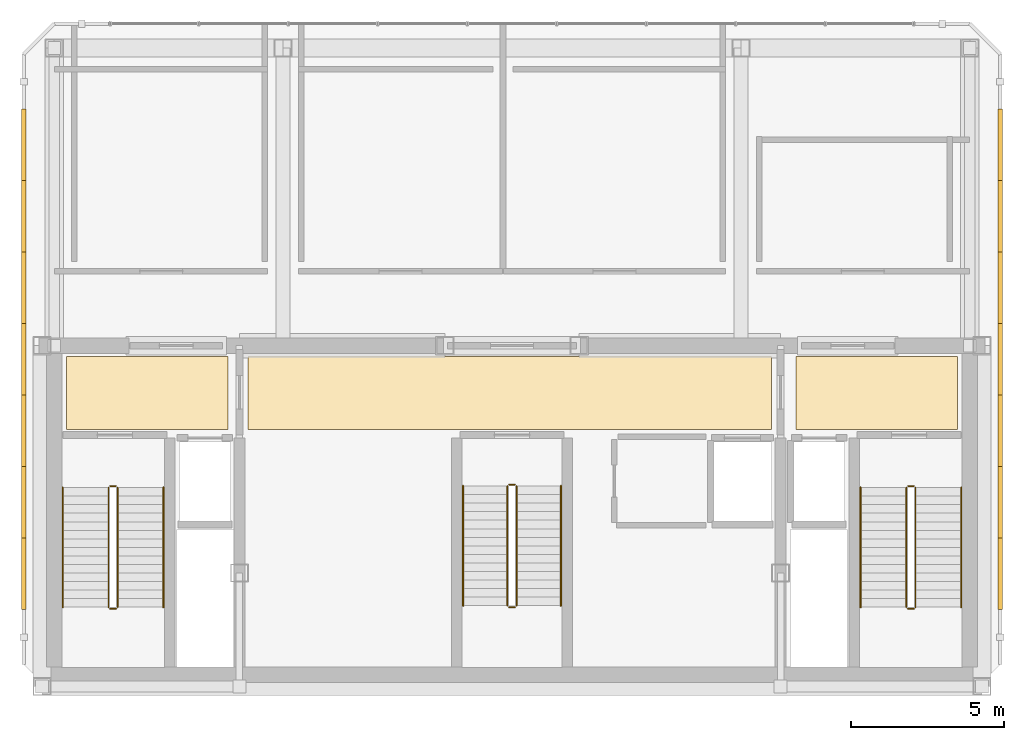
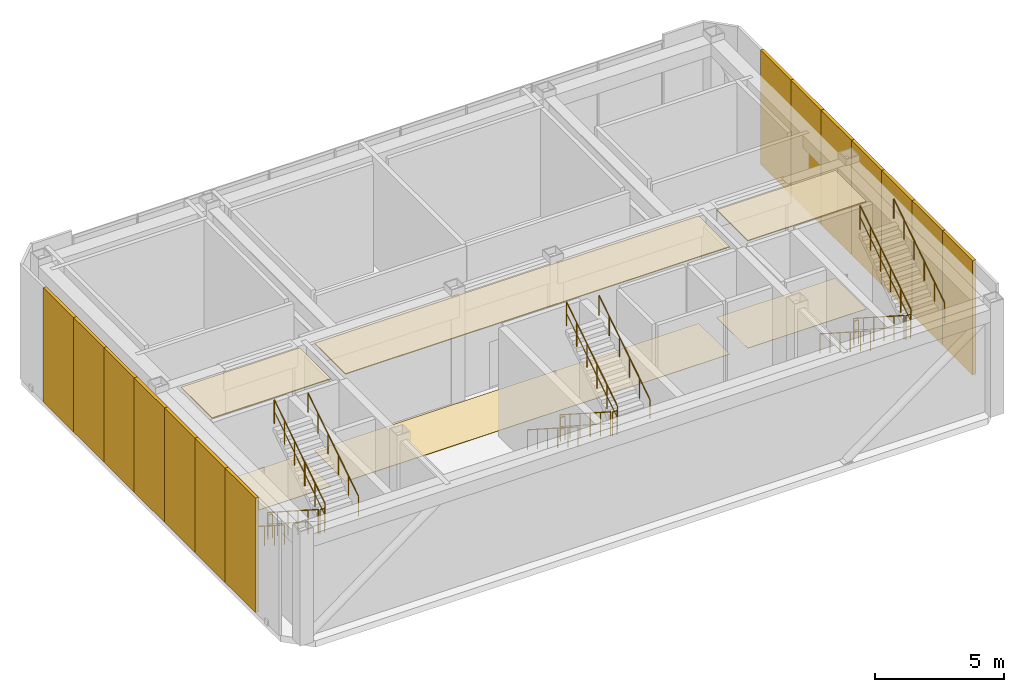
# One storey, part 10 of 10: 18 railings, 14 shading devices, 6 coverings.
"""IFC4 building model written with IfcOpenShell, lengths in metres."""

from ifc_helpers import new_model, si_unit, direction, frame, origin, origin_2d, place, context, subcontext, project, spatial, polyline, rectangle, circle, outline, extrude, material, layer, layer_set, type_object, element, save


model = new_model("IFC4")

# Units and contexts
model_context = context("Model", 3, precision=1e-05, world=origin(), true_north=direction((0.0, 1.0)))
body_context = subcontext(model_context, "Body", "Model", "MODEL_VIEW")
ifc_project = project(units=[si_unit("LENGTHUNIT", "METRE"), si_unit("AREAUNIT", "SQUARE_METRE"), si_unit("VOLUMEUNIT", "CUBIC_METRE"), si_unit("PLANEANGLEUNIT", "RADIAN"), si_unit("MASSUNIT", "GRAM", prefix="KILO")], contexts=[model_context])

# Site, building, storey
site_placement = place(None, origin())
site = spatial("IfcSite", under=ifc_project, at=site_placement, CompositionType="ELEMENT")
building_placement = place(site_placement, origin())
building = spatial("IfcBuilding", under=site, at=building_placement, Name="Ventersveld Concourse Tower", CompositionType="ELEMENT")
storey_placement = place(building_placement, frame((0.0, 0.0, 382.85009765625)))
storey = spatial("IfcBuildingStorey", under=building, at=storey_placement, Name="L93", CompositionType="ELEMENT", Elevation=382.85009765625)

# Coverings
ifc_material_1 = material(Name="Mineral-fibre acoustic ceiling tile", Category="gypsum")
ifc_layer_1 = layer(ifc_material_1, 0.0400390625)
ifc_layer_set_1 = layer_set([ifc_layer_1], Name="Mineral-fibre acoustic ceiling tile")
covering_type_1 = type_object("IfcCoveringType", Name="COV-CEIL-ACOUSTIC", PredefinedType="CEILING", material=ifc_layer_set_1)
covering_1_placement = place(storey_placement, frame((0.0, 0.0, 5.059814453125)))
element("IfcCovering", 1, at=covering_1_placement, inside=storey, type_object=covering_type_1, Name="L93 North Lift Lobby Acoustic Ceiling", PredefinedType="CEILING", context=body_context, shape_type="SweptSolid", body=[
    extrude(outline(polyline([(20.10009765625, 8.699951171875), (37.25, 8.699951171875), (37.25, 11.10009765625), (20.10009765625, 11.10009765625), (20.10009765625, 8.699951171875)])), origin(), (0.0, 0.0, 1.0), 0.0400390625),
])
covering_2_placement = place(storey_placement, frame((0.0, 0.0, 5.059814453125)))
element("IfcCovering", 2, at=covering_2_placement, inside=storey, type_object=covering_type_1, Name="L93 West Firefighting Lobby Acoustic Ceiling", PredefinedType="CEILING", context=body_context, shape_type="SweptSolid", body=[
    extrude(outline(polyline([(14.14990234375, 8.699951171875), (19.449951171875, 8.699951171875), (19.449951171875, 11.10009765625), (14.14990234375, 11.10009765625), (14.14990234375, 8.699951171875)])), origin(), (0.0, 0.0, 1.0), 0.0400390625),
])
covering_3_placement = place(storey_placement, frame((0.0, 0.0, 5.059814453125)))
element("IfcCovering", 3, at=covering_3_placement, inside=storey, type_object=covering_type_1, Name="L93 East Firefighting Lobby Acoustic Ceiling", PredefinedType="CEILING", context=body_context, shape_type="SweptSolid", body=[
    extrude(outline(polyline([(38.050048828125, 8.699951171875), (43.35009765625, 8.699951171875), (43.35009765625, 11.10009765625), (38.050048828125, 11.10009765625), (38.050048828125, 8.699951171875)])), origin(), (0.0, 0.0, 1.0), 0.0400390625),
])
ifc_material_2 = material(Name="Polished Highveld granite terrazzo", Category="masonry")
ifc_layer_2 = layer(ifc_material_2, 0.02001953125)
ifc_layer_set_2 = layer_set([ifc_layer_2], Name="Polished Highveld granite terrazzo")
covering_type_2 = type_object("IfcCoveringType", Name="COV-FLOOR-TERRAZZO", PredefinedType="FLOORING", material=ifc_layer_set_2)
covering_4_placement = place(storey_placement, origin())
element("IfcCovering", 4, at=covering_4_placement, inside=storey, type_object=covering_type_2, Name="L93 North Lift Lobby Terrazzo Flooring", PredefinedType="FLOORING", context=body_context, shape_type="SweptSolid", body=[
    extrude(outline(polyline([(20.10009765625, 8.699951171875), (37.25, 8.699951171875), (37.25, 11.10009765625), (20.10009765625, 11.10009765625), (20.10009765625, 8.699951171875)])), origin(), (0.0, 0.0, 1.0), 0.02001953125),
])
covering_5_placement = place(storey_placement, origin())
element("IfcCovering", 5, at=covering_5_placement, inside=storey, type_object=covering_type_2, Name="L93 West Firefighting Lobby Terrazzo Flooring", PredefinedType="FLOORING", context=body_context, shape_type="SweptSolid", body=[
    extrude(outline(polyline([(14.14990234375, 8.699951171875), (19.449951171875, 8.699951171875), (19.449951171875, 11.10009765625), (14.14990234375, 11.10009765625), (14.14990234375, 8.699951171875)])), origin(), (0.0, 0.0, 1.0), 0.02001953125),
])
covering_6_placement = place(storey_placement, origin())
element("IfcCovering", 6, at=covering_6_placement, inside=storey, type_object=covering_type_2, Name="L93 East Firefighting Lobby Terrazzo Flooring", PredefinedType="FLOORING", context=body_context, shape_type="SweptSolid", body=[
    extrude(outline(polyline([(38.050048828125, 8.699951171875), (43.35009765625, 8.699951171875), (43.35009765625, 11.10009765625), (38.050048828125, 11.10009765625), (38.050048828125, 8.699951171875)])), origin(), (0.0, 0.0, 1.0), 0.02001953125),
])

# Railings
ifc_material_3 = material(Name="Brushed stainless steel 316", Category="steel")
railing_type_1 = type_object("IfcRailingType", Name="GD-BAL-115", PredefinedType="GUARDRAIL", material=ifc_material_3)
railing_1_placement = place(storey_placement, frame((15.530029296875, 6.800048828125, 0.179931640625)))
element("IfcRailing", 7, at=railing_1_placement, inside=storey, type_object=railing_type_1, Name="L93 ST-01 stair guard 1", PredefinedType="GUARDRAIL", context=body_context, shape_type="SweptSolid", body=[
    extrude(circle(Radius=0.02392578125, at=origin_2d()), frame((0.0, 0.0, 1.1259765625), z_axis=(0.0, -0.841186985886, 0.540744352514), x_axis=(1.0, 0.0, 0.0)), (0.0, 0.0, 1.0), 4.660400390625),
    extrude(circle(Radius=0.01611328125, at=origin_2d()), frame((0.0, 0.0, 0.574951171875), z_axis=(0.0, -0.841186985886, 0.540744352514), x_axis=(1.0, 0.0, 0.0)), (0.0, 0.0, 1.0), 4.660400390625),
    extrude(circle(Radius=0.02099609375, at=origin_2d()), origin(), (0.0, 0.0, 1.0), 1.101806640625),
    extrude(circle(Radius=0.02099609375, at=origin_2d()), frame((0.0, -0.783935546875, 0.50390625)), (0.0, 0.0, 1.0), 1.101806640625),
    extrude(circle(Radius=0.02099609375, at=origin_2d()), frame((0.0, -1.568115234375, 1.008056640625)), (0.0, 0.0, 1.0), 1.101806640625),
    extrude(circle(Radius=0.02099609375, at=origin_2d()), frame((0.0, -2.35205078125, 1.511962890625)), (0.0, 0.0, 1.0), 1.101806640625),
    extrude(circle(Radius=0.02099609375, at=origin_2d()), frame((0.0, -3.13623046875, 2.01611328125)), (0.0, 0.0, 1.0), 1.101806640625),
    extrude(circle(Radius=0.02099609375, at=origin_2d()), frame((0.0, -3.920166015625, 2.52001953125)), (0.0, 0.0, 1.0), 1.101806640625),
])
railing_2_placement = place(storey_placement, frame((15.580078125, 2.830078125, 2.699951171875)))
element("IfcRailing", 8, at=railing_2_placement, inside=storey, type_object=railing_type_1, Name="L93 ST-01 stair guard 2", PredefinedType="GUARDRAIL", context=body_context, shape_type="SweptSolid", body=[
    extrude(circle(Radius=0.02392578125, at=origin_2d()), frame((0.0, 0.0, 1.1259765625), z_axis=(1.0, 0.0, 0.0), x_axis=(0.0, 1.0, 0.0)), (0.0, 0.0, 1.0), 0.199951171875),
    extrude(circle(Radius=0.01611328125, at=origin_2d()), frame((0.0, 0.0, 0.574951171875), z_axis=(1.0, 0.0, 0.0), x_axis=(0.0, 1.0, 0.0)), (0.0, 0.0, 1.0), 0.199951171875),
    extrude(circle(Radius=0.02099609375, at=origin_2d()), origin(), (0.0, 0.0, 1.0), 1.101806640625),
    extrude(circle(Radius=0.02099609375, at=origin_2d()), frame((0.199951171875, 0.0, 0.0)), (0.0, 0.0, 1.0), 1.101806640625),
])
railing_3_placement = place(storey_placement, frame((15.830078125, 2.8798828125, 2.8798828125)))
element("IfcRailing", 9, at=railing_3_placement, inside=storey, type_object=railing_type_1, Name="L93 ST-01 stair guard 3", PredefinedType="GUARDRAIL", context=body_context, shape_type="SweptSolid", body=[
    extrude(circle(Radius=0.02392578125, at=origin_2d()), frame((0.0, 0.0, 1.1259765625), z_axis=(0.0, 0.841186985886, 0.540744352514), x_axis=(-1.0, 0.0, 0.0)), (0.0, 0.0, 1.0), 4.660400390625),
    extrude(circle(Radius=0.01611328125, at=origin_2d()), frame((0.0, 0.0, 0.574951171875), z_axis=(0.0, 0.841186985886, 0.540744352514), x_axis=(-1.0, 0.0, 0.0)), (0.0, 0.0, 1.0), 4.660400390625),
    extrude(circle(Radius=0.02099609375, at=origin_2d()), origin(), (0.0, 0.0, 1.0), 1.101806640625),
    extrude(circle(Radius=0.02099609375, at=origin_2d()), frame((0.0, 0.783935546875, 0.50390625)), (0.0, 0.0, 1.0), 1.101806640625),
    extrude(circle(Radius=0.02099609375, at=origin_2d()), frame((0.0, 1.568115234375, 1.008056640625)), (0.0, 0.0, 1.0), 1.101806640625),
    extrude(circle(Radius=0.02099609375, at=origin_2d()), frame((0.0, 2.35205078125, 1.511962890625)), (0.0, 0.0, 1.0), 1.101806640625),
    extrude(circle(Radius=0.02099609375, at=origin_2d()), frame((0.0, 3.13623046875, 2.01611328125)), (0.0, 0.0, 1.0), 1.101806640625),
    extrude(circle(Radius=0.02099609375, at=origin_2d()), frame((0.0, 3.920166015625, 2.52001953125)), (0.0, 0.0, 1.0), 1.101806640625),
])
railing_4_placement = place(storey_placement, frame((15.580078125, 6.85009765625, 0.0)))
element("IfcRailing", 10, at=railing_4_placement, inside=storey, type_object=railing_type_1, Name="L93 ST-01 stair guard 4", PredefinedType="GUARDRAIL", context=body_context, shape_type="SweptSolid", body=[
    extrude(circle(Radius=0.02392578125, at=origin_2d()), frame((0.0, 0.0, 1.1259765625), z_axis=(1.0, 0.0, 0.0), x_axis=(0.0, 1.0, 0.0)), (0.0, 0.0, 1.0), 0.199951171875),
    extrude(circle(Radius=0.01611328125, at=origin_2d()), frame((0.0, 0.0, 0.574951171875), z_axis=(1.0, 0.0, 0.0), x_axis=(0.0, 1.0, 0.0)), (0.0, 0.0, 1.0), 0.199951171875),
    extrude(circle(Radius=0.02099609375, at=origin_2d()), origin(), (0.0, 0.0, 1.0), 1.101806640625),
    extrude(circle(Radius=0.02099609375, at=origin_2d()), frame((0.199951171875, 0.0, 0.0)), (0.0, 0.0, 1.0), 1.101806640625),
])
railing_5_placement = place(storey_placement, frame((41.669921875, 6.800048828125, 0.179931640625)))
element("IfcRailing", 11, at=railing_5_placement, inside=storey, type_object=railing_type_1, Name="L93 ST-02 stair guard 1", PredefinedType="GUARDRAIL", context=body_context, shape_type="SweptSolid", body=[
    extrude(circle(Radius=0.02392578125, at=origin_2d()), frame((0.0, 0.0, 1.1259765625), z_axis=(0.0, -0.841186985886, 0.540744352514), x_axis=(1.0, 0.0, 0.0)), (0.0, 0.0, 1.0), 4.660400390625),
    extrude(circle(Radius=0.01611328125, at=origin_2d()), frame((0.0, 0.0, 0.574951171875), z_axis=(0.0, -0.841186985886, 0.540744352514), x_axis=(1.0, 0.0, 0.0)), (0.0, 0.0, 1.0), 4.660400390625),
    extrude(circle(Radius=0.02099609375, at=origin_2d()), origin(), (0.0, 0.0, 1.0), 1.101806640625),
    extrude(circle(Radius=0.02099609375, at=origin_2d()), frame((0.0, -0.783935546875, 0.50390625)), (0.0, 0.0, 1.0), 1.101806640625),
    extrude(circle(Radius=0.02099609375, at=origin_2d()), frame((0.0, -1.568115234375, 1.008056640625)), (0.0, 0.0, 1.0), 1.101806640625),
    extrude(circle(Radius=0.02099609375, at=origin_2d()), frame((0.0, -2.35205078125, 1.511962890625)), (0.0, 0.0, 1.0), 1.101806640625),
    extrude(circle(Radius=0.02099609375, at=origin_2d()), frame((0.0, -3.13623046875, 2.01611328125)), (0.0, 0.0, 1.0), 1.101806640625),
    extrude(circle(Radius=0.02099609375, at=origin_2d()), frame((0.0, -3.920166015625, 2.52001953125)), (0.0, 0.0, 1.0), 1.101806640625),
])
railing_6_placement = place(storey_placement, frame((41.719970703125, 2.830078125, 2.699951171875)))
element("IfcRailing", 12, at=railing_6_placement, inside=storey, type_object=railing_type_1, Name="L93 ST-02 stair guard 2", PredefinedType="GUARDRAIL", context=body_context, shape_type="SweptSolid", body=[
    extrude(circle(Radius=0.02392578125, at=origin_2d()), frame((0.0, 0.0, 1.1259765625), z_axis=(1.0, 0.0, 0.0), x_axis=(0.0, 1.0, 0.0)), (0.0, 0.0, 1.0), 0.199951171875),
    extrude(circle(Radius=0.01611328125, at=origin_2d()), frame((0.0, 0.0, 0.574951171875), z_axis=(1.0, 0.0, 0.0), x_axis=(0.0, 1.0, 0.0)), (0.0, 0.0, 1.0), 0.199951171875),
    extrude(circle(Radius=0.02099609375, at=origin_2d()), origin(), (0.0, 0.0, 1.0), 1.101806640625),
    extrude(circle(Radius=0.02099609375, at=origin_2d()), frame((0.199951171875, 0.0, 0.0)), (0.0, 0.0, 1.0), 1.101806640625),
])
railing_7_placement = place(storey_placement, frame((41.969970703125, 2.8798828125, 2.8798828125)))
element("IfcRailing", 13, at=railing_7_placement, inside=storey, type_object=railing_type_1, Name="L93 ST-02 stair guard 3", PredefinedType="GUARDRAIL", context=body_context, shape_type="SweptSolid", body=[
    extrude(circle(Radius=0.02392578125, at=origin_2d()), frame((0.0, 0.0, 1.1259765625), z_axis=(0.0, 0.841186985886, 0.540744352514), x_axis=(-1.0, 0.0, 0.0)), (0.0, 0.0, 1.0), 4.660400390625),
    extrude(circle(Radius=0.01611328125, at=origin_2d()), frame((0.0, 0.0, 0.574951171875), z_axis=(0.0, 0.841186985886, 0.540744352514), x_axis=(-1.0, 0.0, 0.0)), (0.0, 0.0, 1.0), 4.660400390625),
    extrude(circle(Radius=0.02099609375, at=origin_2d()), origin(), (0.0, 0.0, 1.0), 1.101806640625),
    extrude(circle(Radius=0.02099609375, at=origin_2d()), frame((0.0, 0.783935546875, 0.50390625)), (0.0, 0.0, 1.0), 1.101806640625),
    extrude(circle(Radius=0.02099609375, at=origin_2d()), frame((0.0, 1.568115234375, 1.008056640625)), (0.0, 0.0, 1.0), 1.101806640625),
    extrude(circle(Radius=0.02099609375, at=origin_2d()), frame((0.0, 2.35205078125, 1.511962890625)), (0.0, 0.0, 1.0), 1.101806640625),
    extrude(circle(Radius=0.02099609375, at=origin_2d()), frame((0.0, 3.13623046875, 2.01611328125)), (0.0, 0.0, 1.0), 1.101806640625),
    extrude(circle(Radius=0.02099609375, at=origin_2d()), frame((0.0, 3.920166015625, 2.52001953125)), (0.0, 0.0, 1.0), 1.101806640625),
])
railing_8_placement = place(storey_placement, frame((41.719970703125, 6.85009765625, 0.0)))
element("IfcRailing", 14, at=railing_8_placement, inside=storey, type_object=railing_type_1, Name="L93 ST-02 stair guard 4", PredefinedType="GUARDRAIL", context=body_context, shape_type="SweptSolid", body=[
    extrude(circle(Radius=0.02392578125, at=origin_2d()), frame((0.0, 0.0, 1.1259765625), z_axis=(1.0, 0.0, 0.0), x_axis=(0.0, 1.0, 0.0)), (0.0, 0.0, 1.0), 0.199951171875),
    extrude(circle(Radius=0.01611328125, at=origin_2d()), frame((0.0, 0.0, 0.574951171875), z_axis=(1.0, 0.0, 0.0), x_axis=(0.0, 1.0, 0.0)), (0.0, 0.0, 1.0), 0.199951171875),
    extrude(circle(Radius=0.02099609375, at=origin_2d()), origin(), (0.0, 0.0, 1.0), 1.101806640625),
    extrude(circle(Radius=0.02099609375, at=origin_2d()), frame((0.199951171875, 0.0, 0.0)), (0.0, 0.0, 1.0), 1.101806640625),
])
railing_9_placement = place(storey_placement, frame((28.60009765625, 6.85009765625, 0.179931640625)))
element("IfcRailing", 15, at=railing_9_placement, inside=storey, type_object=railing_type_1, Name="L93 ST-03 stair guard 1", PredefinedType="GUARDRAIL", context=body_context, shape_type="SweptSolid", body=[
    extrude(circle(Radius=0.02392578125, at=origin_2d()), frame((0.0, 0.0, 1.1259765625), z_axis=(0.0, -0.841186985886, 0.540744352514), x_axis=(1.0, 0.0, 0.0)), (0.0, 0.0, 1.0), 4.660400390625),
    extrude(circle(Radius=0.01611328125, at=origin_2d()), frame((0.0, 0.0, 0.574951171875), z_axis=(0.0, -0.841186985886, 0.540744352514), x_axis=(1.0, 0.0, 0.0)), (0.0, 0.0, 1.0), 4.660400390625),
    extrude(circle(Radius=0.02099609375, at=origin_2d()), origin(), (0.0, 0.0, 1.0), 1.101806640625),
    extrude(circle(Radius=0.02099609375, at=origin_2d()), frame((0.0, -0.783935546875, 0.50390625)), (0.0, 0.0, 1.0), 1.101806640625),
    extrude(circle(Radius=0.02099609375, at=origin_2d()), frame((0.0, -1.568115234375, 1.008056640625)), (0.0, 0.0, 1.0), 1.101806640625),
    extrude(circle(Radius=0.02099609375, at=origin_2d()), frame((0.0, -2.35205078125, 1.511962890625)), (0.0, 0.0, 1.0), 1.101806640625),
    extrude(circle(Radius=0.02099609375, at=origin_2d()), frame((0.0, -3.13623046875, 2.01611328125)), (0.0, 0.0, 1.0), 1.101806640625),
    extrude(circle(Radius=0.02099609375, at=origin_2d()), frame((0.0, -3.920166015625, 2.52001953125)), (0.0, 0.0, 1.0), 1.101806640625),
])
railing_10_placement = place(storey_placement, frame((28.64990234375, 2.8798828125, 2.699951171875)))
element("IfcRailing", 16, at=railing_10_placement, inside=storey, type_object=railing_type_1, Name="L93 ST-03 stair guard 2", PredefinedType="GUARDRAIL", context=body_context, shape_type="SweptSolid", body=[
    extrude(circle(Radius=0.02392578125, at=origin_2d()), frame((0.0, 0.0, 1.1259765625), z_axis=(1.0, 0.0, 0.0), x_axis=(0.0, 1.0, 0.0)), (0.0, 0.0, 1.0), 0.2001953125),
    extrude(circle(Radius=0.01611328125, at=origin_2d()), frame((0.0, 0.0, 0.574951171875), z_axis=(1.0, 0.0, 0.0), x_axis=(0.0, 1.0, 0.0)), (0.0, 0.0, 1.0), 0.2001953125),
    extrude(circle(Radius=0.02099609375, at=origin_2d()), origin(), (0.0, 0.0, 1.0), 1.101806640625),
    extrude(circle(Radius=0.02099609375, at=origin_2d()), frame((0.2001953125, 0.0, 0.0)), (0.0, 0.0, 1.0), 1.101806640625),
])
railing_11_placement = place(storey_placement, frame((28.89990234375, 2.929931640625, 2.8798828125)))
element("IfcRailing", 17, at=railing_11_placement, inside=storey, type_object=railing_type_1, Name="L93 ST-03 stair guard 3", PredefinedType="GUARDRAIL", context=body_context, shape_type="SweptSolid", body=[
    extrude(circle(Radius=0.02392578125, at=origin_2d()), frame((0.0, 0.0, 1.1259765625), z_axis=(0.0, 0.841186985886, 0.540744352514), x_axis=(-1.0, 0.0, 0.0)), (0.0, 0.0, 1.0), 4.660400390625),
    extrude(circle(Radius=0.01611328125, at=origin_2d()), frame((0.0, 0.0, 0.574951171875), z_axis=(0.0, 0.841186985886, 0.540744352514), x_axis=(-1.0, 0.0, 0.0)), (0.0, 0.0, 1.0), 4.660400390625),
    extrude(circle(Radius=0.02099609375, at=origin_2d()), origin(), (0.0, 0.0, 1.0), 1.101806640625),
    extrude(circle(Radius=0.02099609375, at=origin_2d()), frame((0.0, 0.783935546875, 0.50390625)), (0.0, 0.0, 1.0), 1.101806640625),
    extrude(circle(Radius=0.02099609375, at=origin_2d()), frame((0.0, 1.568115234375, 1.008056640625)), (0.0, 0.0, 1.0), 1.101806640625),
    extrude(circle(Radius=0.02099609375, at=origin_2d()), frame((0.0, 2.35205078125, 1.511962890625)), (0.0, 0.0, 1.0), 1.101806640625),
    extrude(circle(Radius=0.02099609375, at=origin_2d()), frame((0.0, 3.13623046875, 2.01611328125)), (0.0, 0.0, 1.0), 1.101806640625),
    extrude(circle(Radius=0.02099609375, at=origin_2d()), frame((0.0, 3.920166015625, 2.52001953125)), (0.0, 0.0, 1.0), 1.101806640625),
])
railing_12_placement = place(storey_placement, frame((28.64990234375, 6.89990234375, 0.0)))
element("IfcRailing", 18, at=railing_12_placement, inside=storey, type_object=railing_type_1, Name="L93 ST-03 stair guard 4", PredefinedType="GUARDRAIL", context=body_context, shape_type="SweptSolid", body=[
    extrude(circle(Radius=0.02392578125, at=origin_2d()), frame((0.0, 0.0, 1.1259765625), z_axis=(1.0, 0.0, 0.0), x_axis=(0.0, 1.0, 0.0)), (0.0, 0.0, 1.0), 0.2001953125),
    extrude(circle(Radius=0.01611328125, at=origin_2d()), frame((0.0, 0.0, 0.574951171875), z_axis=(1.0, 0.0, 0.0), x_axis=(0.0, 1.0, 0.0)), (0.0, 0.0, 1.0), 0.2001953125),
    extrude(circle(Radius=0.02099609375, at=origin_2d()), origin(), (0.0, 0.0, 1.0), 1.101806640625),
    extrude(circle(Radius=0.02099609375, at=origin_2d()), frame((0.2001953125, 0.0, 0.0)), (0.0, 0.0, 1.0), 1.101806640625),
])
railing_type_2 = type_object("IfcRailingType", Name="HR-RMP-095", PredefinedType="HANDRAIL", material=ifc_material_3)
railing_13_placement = place(storey_placement, frame((14.030029296875, 6.800048828125, 0.179931640625)))
element("IfcRailing", 19, at=railing_13_placement, inside=storey, type_object=railing_type_2, Name="L93 ST-01 stair handrail 1", PredefinedType="HANDRAIL", context=body_context, shape_type="SweptSolid", body=[
    extrude(circle(Radius=0.02392578125, at=origin_2d()), frame((0.0, 0.0, 0.92578125), z_axis=(0.0, -0.841186985886, 0.540744352514), x_axis=(1.0, 0.0, 0.0)), (0.0, 0.0, 1.0), 4.660400390625),
    extrude(circle(Radius=0.02099609375, at=origin_2d()), origin(), (0.0, 0.0, 1.0), 0.90185546875),
    extrude(circle(Radius=0.02099609375, at=origin_2d()), frame((0.0, -0.783935546875, 0.50390625)), (0.0, 0.0, 1.0), 0.90185546875),
    extrude(circle(Radius=0.02099609375, at=origin_2d()), frame((0.0, -1.568115234375, 1.008056640625)), (0.0, 0.0, 1.0), 0.90185546875),
    extrude(circle(Radius=0.02099609375, at=origin_2d()), frame((0.0, -2.35205078125, 1.511962890625)), (0.0, 0.0, 1.0), 0.90185546875),
    extrude(circle(Radius=0.02099609375, at=origin_2d()), frame((0.0, -3.13623046875, 2.01611328125)), (0.0, 0.0, 1.0), 0.90185546875),
    extrude(circle(Radius=0.02099609375, at=origin_2d()), frame((0.0, -3.920166015625, 2.52001953125)), (0.0, 0.0, 1.0), 0.90185546875),
])
railing_14_placement = place(storey_placement, frame((17.330078125, 2.8798828125, 2.8798828125)))
element("IfcRailing", 20, at=railing_14_placement, inside=storey, type_object=railing_type_2, Name="L93 ST-01 stair handrail 2", PredefinedType="HANDRAIL", context=body_context, shape_type="SweptSolid", body=[
    extrude(circle(Radius=0.02392578125, at=origin_2d()), frame((0.0, 0.0, 0.92578125), z_axis=(0.0, 0.841186985886, 0.540744352514), x_axis=(-1.0, 0.0, 0.0)), (0.0, 0.0, 1.0), 4.660400390625),
    extrude(circle(Radius=0.02099609375, at=origin_2d()), origin(), (0.0, 0.0, 1.0), 0.90185546875),
    extrude(circle(Radius=0.02099609375, at=origin_2d()), frame((0.0, 0.783935546875, 0.50390625)), (0.0, 0.0, 1.0), 0.90185546875),
    extrude(circle(Radius=0.02099609375, at=origin_2d()), frame((0.0, 1.568115234375, 1.008056640625)), (0.0, 0.0, 1.0), 0.90185546875),
    extrude(circle(Radius=0.02099609375, at=origin_2d()), frame((0.0, 2.35205078125, 1.511962890625)), (0.0, 0.0, 1.0), 0.90185546875),
    extrude(circle(Radius=0.02099609375, at=origin_2d()), frame((0.0, 3.13623046875, 2.01611328125)), (0.0, 0.0, 1.0), 0.90185546875),
    extrude(circle(Radius=0.02099609375, at=origin_2d()), frame((0.0, 3.920166015625, 2.52001953125)), (0.0, 0.0, 1.0), 0.90185546875),
])
railing_15_placement = place(storey_placement, frame((40.169921875, 6.800048828125, 0.179931640625)))
element("IfcRailing", 21, at=railing_15_placement, inside=storey, type_object=railing_type_2, Name="L93 ST-02 stair handrail 1", PredefinedType="HANDRAIL", context=body_context, shape_type="SweptSolid", body=[
    extrude(circle(Radius=0.02392578125, at=origin_2d()), frame((0.0, 0.0, 0.92578125), z_axis=(0.0, -0.841186985886, 0.540744352514), x_axis=(1.0, 0.0, 0.0)), (0.0, 0.0, 1.0), 4.660400390625),
    extrude(circle(Radius=0.02099609375, at=origin_2d()), origin(), (0.0, 0.0, 1.0), 0.90185546875),
    extrude(circle(Radius=0.02099609375, at=origin_2d()), frame((0.0, -0.783935546875, 0.50390625)), (0.0, 0.0, 1.0), 0.90185546875),
    extrude(circle(Radius=0.02099609375, at=origin_2d()), frame((0.0, -1.568115234375, 1.008056640625)), (0.0, 0.0, 1.0), 0.90185546875),
    extrude(circle(Radius=0.02099609375, at=origin_2d()), frame((0.0, -2.35205078125, 1.511962890625)), (0.0, 0.0, 1.0), 0.90185546875),
    extrude(circle(Radius=0.02099609375, at=origin_2d()), frame((0.0, -3.13623046875, 2.01611328125)), (0.0, 0.0, 1.0), 0.90185546875),
    extrude(circle(Radius=0.02099609375, at=origin_2d()), frame((0.0, -3.920166015625, 2.52001953125)), (0.0, 0.0, 1.0), 0.90185546875),
])
railing_16_placement = place(storey_placement, frame((43.469970703125, 2.8798828125, 2.8798828125)))
element("IfcRailing", 22, at=railing_16_placement, inside=storey, type_object=railing_type_2, Name="L93 ST-02 stair handrail 2", PredefinedType="HANDRAIL", context=body_context, shape_type="SweptSolid", body=[
    extrude(circle(Radius=0.02392578125, at=origin_2d()), frame((0.0, 0.0, 0.92578125), z_axis=(0.0, 0.841186985886, 0.540744352514), x_axis=(-1.0, 0.0, 0.0)), (0.0, 0.0, 1.0), 4.660400390625),
    extrude(circle(Radius=0.02099609375, at=origin_2d()), origin(), (0.0, 0.0, 1.0), 0.90185546875),
    extrude(circle(Radius=0.02099609375, at=origin_2d()), frame((0.0, 0.783935546875, 0.50390625)), (0.0, 0.0, 1.0), 0.90185546875),
    extrude(circle(Radius=0.02099609375, at=origin_2d()), frame((0.0, 1.568115234375, 1.008056640625)), (0.0, 0.0, 1.0), 0.90185546875),
    extrude(circle(Radius=0.02099609375, at=origin_2d()), frame((0.0, 2.35205078125, 1.511962890625)), (0.0, 0.0, 1.0), 0.90185546875),
    extrude(circle(Radius=0.02099609375, at=origin_2d()), frame((0.0, 3.13623046875, 2.01611328125)), (0.0, 0.0, 1.0), 0.90185546875),
    extrude(circle(Radius=0.02099609375, at=origin_2d()), frame((0.0, 3.920166015625, 2.52001953125)), (0.0, 0.0, 1.0), 0.90185546875),
])
railing_17_placement = place(storey_placement, frame((27.14990234375, 6.85009765625, 0.179931640625)))
element("IfcRailing", 23, at=railing_17_placement, inside=storey, type_object=railing_type_2, Name="L93 ST-03 stair handrail 1", PredefinedType="HANDRAIL", context=body_context, shape_type="SweptSolid", body=[
    extrude(circle(Radius=0.02392578125, at=origin_2d()), frame((0.0, 0.0, 0.92578125), z_axis=(0.0, -0.841186985886, 0.540744352514), x_axis=(1.0, 0.0, 0.0)), (0.0, 0.0, 1.0), 4.660400390625),
    extrude(circle(Radius=0.02099609375, at=origin_2d()), origin(), (0.0, 0.0, 1.0), 0.90185546875),
    extrude(circle(Radius=0.02099609375, at=origin_2d()), frame((0.0, -0.783935546875, 0.50390625)), (0.0, 0.0, 1.0), 0.90185546875),
    extrude(circle(Radius=0.02099609375, at=origin_2d()), frame((0.0, -1.568115234375, 1.008056640625)), (0.0, 0.0, 1.0), 0.90185546875),
    extrude(circle(Radius=0.02099609375, at=origin_2d()), frame((0.0, -2.35205078125, 1.511962890625)), (0.0, 0.0, 1.0), 0.90185546875),
    extrude(circle(Radius=0.02099609375, at=origin_2d()), frame((0.0, -3.13623046875, 2.01611328125)), (0.0, 0.0, 1.0), 0.90185546875),
    extrude(circle(Radius=0.02099609375, at=origin_2d()), frame((0.0, -3.920166015625, 2.52001953125)), (0.0, 0.0, 1.0), 0.90185546875),
])
railing_18_placement = place(storey_placement, frame((30.35009765625, 2.929931640625, 2.8798828125)))
element("IfcRailing", 24, at=railing_18_placement, inside=storey, type_object=railing_type_2, Name="L93 ST-03 stair handrail 2", PredefinedType="HANDRAIL", context=body_context, shape_type="SweptSolid", body=[
    extrude(circle(Radius=0.02392578125, at=origin_2d()), frame((0.0, 0.0, 0.92578125), z_axis=(0.0, 0.841186985886, 0.540744352514), x_axis=(-1.0, 0.0, 0.0)), (0.0, 0.0, 1.0), 4.660400390625),
    extrude(circle(Radius=0.02099609375, at=origin_2d()), origin(), (0.0, 0.0, 1.0), 0.90185546875),
    extrude(circle(Radius=0.02099609375, at=origin_2d()), frame((0.0, 0.783935546875, 0.50390625)), (0.0, 0.0, 1.0), 0.90185546875),
    extrude(circle(Radius=0.02099609375, at=origin_2d()), frame((0.0, 1.568115234375, 1.008056640625)), (0.0, 0.0, 1.0), 0.90185546875),
    extrude(circle(Radius=0.02099609375, at=origin_2d()), frame((0.0, 2.35205078125, 1.511962890625)), (0.0, 0.0, 1.0), 0.90185546875),
    extrude(circle(Radius=0.02099609375, at=origin_2d()), frame((0.0, 3.13623046875, 2.01611328125)), (0.0, 0.0, 1.0), 0.90185546875),
    extrude(circle(Radius=0.02099609375, at=origin_2d()), frame((0.0, 3.920166015625, 2.52001953125)), (0.0, 0.0, 1.0), 0.90185546875),
])

# Shading devices
ifc_material_4 = material(Name="Anodised aluminium EN AW-6063-T6", Category="aluminium")
shading_device_type = type_object("IfcShadingDeviceType", Name="SHD-SCREEN-CROWN", PredefinedType="JALOUSIE", material=ifc_material_4)
for number, where, z_axis, x_axis, name in (
    (25, (44.75, 3.971435546875, 0.0), (0.0, 0.0, 1.0), (0.0, 1.0, 0.0), "L93 Crown Acoustic Louvre SCREEN E3-C1"),
    (26, (44.75, 6.314453125, 0.0), (0.0, 0.0, 1.0), (0.0, 1.0, 0.0), "L93 Crown Acoustic Louvre SCREEN E3-C2"),
    (27, (44.75, 8.6572265625, 0.0), (0.0, 0.0, 1.0), (0.0, 1.0, 0.0), "L93 Crown Acoustic Louvre SCREEN E3-C3"),
    (28, (44.75, 11.000244140625, 0.0), (0.0, 0.0, 1.0), (0.0, 1.0, 0.0), "L93 Crown Acoustic Louvre SCREEN E3-C4"),
    (29, (44.75, 13.343017578125, 0.0), (0.0, 0.0, 1.0), (0.0, 1.0, 0.0), "L93 Crown Acoustic Louvre SCREEN E3-C5"),
    (30, (44.75, 15.68603515625, 0.0), (0.0, 0.0, 1.0), (0.0, 1.0, 0.0), "L93 Crown Acoustic Louvre SCREEN E3-C6"),
    (31, (44.75, 18.02880859375, 0.0), (0.0, 0.0, 1.0), (0.0, 1.0, 0.0), "L93 Crown Acoustic Louvre SCREEN E3-C7"),
    (32, (12.75, 18.028564453125, 0.0), (0.0, 0.0, 1.0), (0.0, -1.0, 0.0), "L93 Crown Acoustic Louvre SCREEN E7-C1"),
    (33, (12.75, 15.685546875, 0.0), (0.0, 0.0, 1.0), (0.0, -1.0, 0.0), "L93 Crown Acoustic Louvre SCREEN E7-C2"),
    (34, (12.75, 13.3427734375, 0.0), (0.0, 0.0, 1.0), (0.0, -1.0, 0.0), "L93 Crown Acoustic Louvre SCREEN E7-C3"),
    (35, (12.75, 10.999755859375, 0.0), (0.0, 0.0, 1.0), (0.0, -1.0, 0.0), "L93 Crown Acoustic Louvre SCREEN E7-C4"),
    (36, (12.75, 8.656982421875, 0.0), (0.0, 0.0, 1.0), (0.0, -1.0, 0.0), "L93 Crown Acoustic Louvre SCREEN E7-C5"),
    (37, (12.75, 6.31396484375, 0.0), (0.0, 0.0, 1.0), (0.0, -1.0, 0.0), "L93 Crown Acoustic Louvre SCREEN E7-C6"),
    (38, (12.75, 3.97119140625, 0.0), (0.0, 0.0, 1.0), (0.0, -1.0, 0.0), "L93 Crown Acoustic Louvre SCREEN E7-C7"),
):
    element("IfcShadingDevice", number, at=place(storey_placement, frame(where, z_axis=z_axis, x_axis=x_axis)), inside=storey, type_object=shading_device_type, Name=name, PredefinedType="JALOUSIE", context=body_context, shape_type="SweptSolid", body=[
        extrude(rectangle(XDim=2.343017578125, YDim=0.139892578125, at=origin_2d()), origin(), (0.0, 0.0, 1.0), 5.39990234375),
    ])

save(model, "model.ifc")
